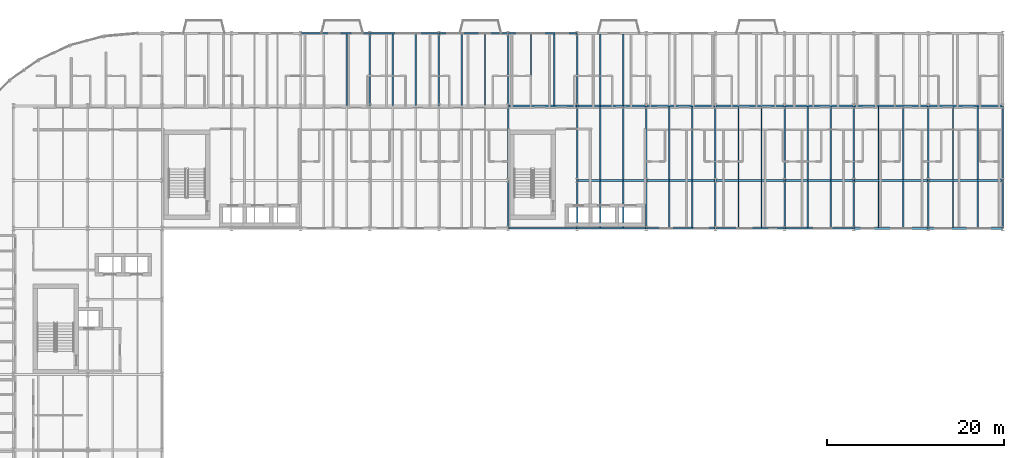
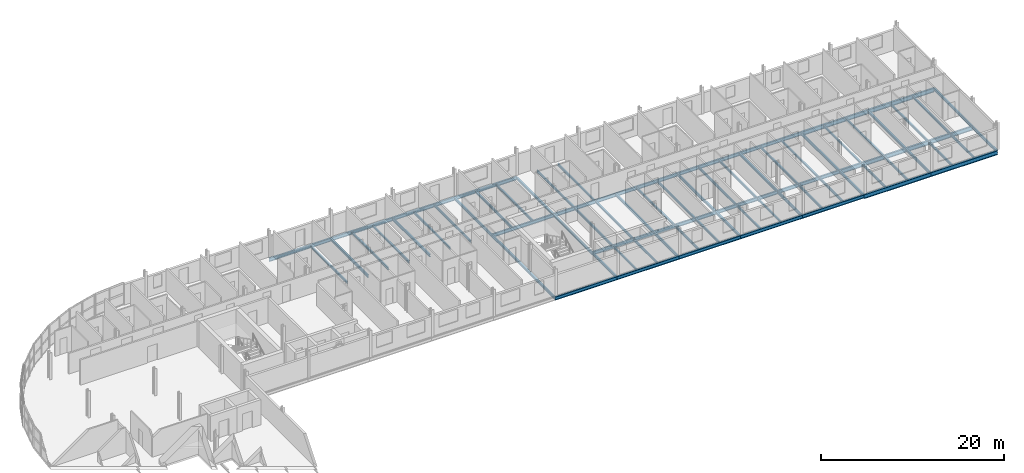
# One storey, part 11 of 34: 77 beams.
"""IFC4 building model written with IfcOpenShell, lengths in metres."""

from ifc_helpers import new_model, si_unit, direction, frame, origin, origin_2d, place, context, subcontext, project, spatial, i_section, extrude, material, material_profile, profile_set, type_object, element, save


model = new_model("IFC4")

# Units and contexts
model_context = context("Model", 3, precision=1e-05, world=origin(), true_north=direction((0.0, 1.0)))
body_context = subcontext(model_context, "Body", "Model", "MODEL_VIEW")
ifc_project = project(units=[si_unit("LENGTHUNIT", "METRE"), si_unit("AREAUNIT", "SQUARE_METRE"), si_unit("VOLUMEUNIT", "CUBIC_METRE"), si_unit("PLANEANGLEUNIT", "RADIAN"), si_unit("MASSUNIT", "GRAM", prefix="KILO")], contexts=[model_context])

# Site, building, storey
site_placement = place(None, origin())
site = spatial("IfcSite", under=ifc_project, at=site_placement, CompositionType="ELEMENT")
building_placement = place(site_placement, origin())
building = spatial("IfcBuilding", under=site, at=building_placement, Name="Sefraquen Railside Congress Hotel", CompositionType="ELEMENT")
storey_placement = place(building_placement, frame((0.0, 0.0, 31.800048828125)))
storey = spatial("IfcBuildingStorey", under=building, at=storey_placement, Name="L07", CompositionType="ELEMENT", Elevation=31.800048828125)

# Beams
ifc_material = material(Name="Steel S355JR", Category="steel")
ifc_material_profile_1 = material_profile(ifc_material, i_section(OverallWidth=0.169921875, OverallDepth=0.360107421875, WebThickness=0.008056640625, FlangeThickness=0.0126953125, FilletRadius=0.01806640625, at=origin_2d()), Name="IPE 360")
ifc_profile_set_1 = profile_set([ifc_material_profile_1], Name="Steel S355JR")
beam_type_1 = type_object("IfcBeamType", Name="TB-BM-360", PredefinedType="BEAM", material=ifc_profile_set_1)
for number, where, z_axis, x_axis, name in (
    (1, (48.60009765625, 109.800048828125, -0.420166015625), (0.0, 1.0, 0.0), (-1.0, 0.0, 0.0), "Floor beam BM-L07-1800"),
    (2, (56.39990234375, 109.800048828125, -0.420166015625), (0.0, 1.0, 0.0), (-1.0, 0.0, 0.0), "Floor beam BM-L07-1803"),
):
    element("IfcBeam", number, at=place(storey_placement, frame(where, z_axis=z_axis, x_axis=x_axis)), inside=storey, type_object=beam_type_1, Name=name, PredefinedType="BEAM", context=body_context, shape_type="SweptSolid", body=[
        extrude(i_section(OverallWidth=0.169921875, OverallDepth=0.360107421875, WebThickness=0.008056640625, FlangeThickness=0.0126953125, FilletRadius=0.01806640625, at=origin_2d()), origin(), (0.0, 0.0, 1.0), 8.199951171875),
    ])
beam_1_placement = place(storey_placement, frame((64.199951171875, 96.0, -0.420166015625), z_axis=(0.0, 1.0, 0.0), x_axis=(-1.0, 0.0, 0.0)))
element("IfcBeam", 3, at=beam_1_placement, inside=storey, type_object=beam_type_1, Name="Floor beam BM-L07-1804", PredefinedType="BEAM", context=body_context, shape_type="SweptSolid", body=[
    extrude(i_section(OverallWidth=0.169921875, OverallDepth=0.360107421875, WebThickness=0.008056640625, FlangeThickness=0.0126953125, FilletRadius=0.01806640625, at=origin_2d()), origin(), (0.0, 0.0, 1.0), 5.39990234375),
])
beam_2_placement = place(storey_placement, frame((64.199951171875, 101.39990234375, -0.420166015625), z_axis=(0.0, 1.0, 0.0), x_axis=(-1.0, 0.0, 0.0)))
element("IfcBeam", 4, at=beam_2_placement, inside=storey, type_object=beam_type_1, Name="Floor beam BM-L07-1805", PredefinedType="BEAM", context=body_context, shape_type="SweptSolid", body=[
    extrude(i_section(OverallWidth=0.169921875, OverallDepth=0.360107421875, WebThickness=0.008056640625, FlangeThickness=0.0126953125, FilletRadius=0.01806640625, at=origin_2d()), origin(), (0.0, 0.0, 1.0), 8.400146484375),
])
beam_3_placement = place(storey_placement, frame((64.199951171875, 109.800048828125, -0.420166015625), z_axis=(0.0, 1.0, 0.0), x_axis=(-1.0, 0.0, 0.0)))
element("IfcBeam", 5, at=beam_3_placement, inside=storey, type_object=beam_type_1, Name="Floor beam BM-L07-1806", PredefinedType="BEAM", context=body_context, shape_type="SweptSolid", body=[
    extrude(i_section(OverallWidth=0.169921875, OverallDepth=0.360107421875, WebThickness=0.008056640625, FlangeThickness=0.0126953125, FilletRadius=0.01806640625, at=origin_2d()), origin(), (0.0, 0.0, 1.0), 8.199951171875),
])
beam_4_placement = place(storey_placement, frame((72.0, 96.0, -0.420166015625), z_axis=(0.0, 1.0, 0.0), x_axis=(-1.0, 0.0, 0.0)))
element("IfcBeam", 6, at=beam_4_placement, inside=storey, type_object=beam_type_1, Name="Floor beam BM-L07-1807", PredefinedType="BEAM", context=body_context, shape_type="SweptSolid", body=[
    extrude(i_section(OverallWidth=0.169921875, OverallDepth=0.360107421875, WebThickness=0.008056640625, FlangeThickness=0.0126953125, FilletRadius=0.01806640625, at=origin_2d()), origin(), (0.0, 0.0, 1.0), 5.39990234375),
])
beam_5_placement = place(storey_placement, frame((72.0, 101.39990234375, -0.420166015625), z_axis=(0.0, 1.0, 0.0), x_axis=(-1.0, 0.0, 0.0)))
element("IfcBeam", 7, at=beam_5_placement, inside=storey, type_object=beam_type_1, Name="Floor beam BM-L07-1808", PredefinedType="BEAM", context=body_context, shape_type="SweptSolid", body=[
    extrude(i_section(OverallWidth=0.169921875, OverallDepth=0.360107421875, WebThickness=0.008056640625, FlangeThickness=0.0126953125, FilletRadius=0.01806640625, at=origin_2d()), origin(), (0.0, 0.0, 1.0), 8.400146484375),
])
beam_6_placement = place(storey_placement, frame((72.0, 109.800048828125, -0.420166015625), z_axis=(0.0, 1.0, 0.0), x_axis=(-1.0, 0.0, 0.0)))
element("IfcBeam", 8, at=beam_6_placement, inside=storey, type_object=beam_type_1, Name="Floor beam BM-L07-1809", PredefinedType="BEAM", context=body_context, shape_type="SweptSolid", body=[
    extrude(i_section(OverallWidth=0.169921875, OverallDepth=0.360107421875, WebThickness=0.008056640625, FlangeThickness=0.0126953125, FilletRadius=0.01806640625, at=origin_2d()), origin(), (0.0, 0.0, 1.0), 8.199951171875),
])
beam_7_placement = place(storey_placement, frame((79.800048828125, 96.0, -0.420166015625), z_axis=(0.0, 1.0, 0.0), x_axis=(-1.0, 0.0, 0.0)))
element("IfcBeam", 9, at=beam_7_placement, inside=storey, type_object=beam_type_1, Name="Floor beam BM-L07-1810", PredefinedType="BEAM", context=body_context, shape_type="SweptSolid", body=[
    extrude(i_section(OverallWidth=0.169921875, OverallDepth=0.360107421875, WebThickness=0.008056640625, FlangeThickness=0.0126953125, FilletRadius=0.01806640625, at=origin_2d()), origin(), (0.0, 0.0, 1.0), 5.39990234375),
])
beam_8_placement = place(storey_placement, frame((79.800048828125, 101.39990234375, -0.420166015625), z_axis=(0.0, 1.0, 0.0), x_axis=(-1.0, 0.0, 0.0)))
element("IfcBeam", 10, at=beam_8_placement, inside=storey, type_object=beam_type_1, Name="Floor beam BM-L07-1811", PredefinedType="BEAM", context=body_context, shape_type="SweptSolid", body=[
    extrude(i_section(OverallWidth=0.169921875, OverallDepth=0.360107421875, WebThickness=0.008056640625, FlangeThickness=0.0126953125, FilletRadius=0.01806640625, at=origin_2d()), origin(), (0.0, 0.0, 1.0), 8.400146484375),
])
beam_9_placement = place(storey_placement, frame((87.60009765625, 96.0, -0.420166015625), z_axis=(0.0, 1.0, 0.0), x_axis=(-1.0, 0.0, 0.0)))
element("IfcBeam", 11, at=beam_9_placement, inside=storey, type_object=beam_type_1, Name="Floor beam BM-L07-1813", PredefinedType="BEAM", context=body_context, shape_type="SweptSolid", body=[
    extrude(i_section(OverallWidth=0.169921875, OverallDepth=0.360107421875, WebThickness=0.008056640625, FlangeThickness=0.0126953125, FilletRadius=0.01806640625, at=origin_2d()), origin(), (0.0, 0.0, 1.0), 5.39990234375),
])
beam_10_placement = place(storey_placement, frame((87.60009765625, 101.39990234375, -0.420166015625), z_axis=(0.0, 1.0, 0.0), x_axis=(-1.0, 0.0, 0.0)))
element("IfcBeam", 12, at=beam_10_placement, inside=storey, type_object=beam_type_1, Name="Floor beam BM-L07-1814", PredefinedType="BEAM", context=body_context, shape_type="SweptSolid", body=[
    extrude(i_section(OverallWidth=0.169921875, OverallDepth=0.360107421875, WebThickness=0.008056640625, FlangeThickness=0.0126953125, FilletRadius=0.01806640625, at=origin_2d()), origin(), (0.0, 0.0, 1.0), 8.400146484375),
])
beam_11_placement = place(storey_placement, frame((95.39990234375, 96.0, -0.420166015625), z_axis=(0.0, 1.0, 0.0), x_axis=(-1.0, 0.0, 0.0)))
element("IfcBeam", 13, at=beam_11_placement, inside=storey, type_object=beam_type_1, Name="Floor beam BM-L07-1816", PredefinedType="BEAM", context=body_context, shape_type="SweptSolid", body=[
    extrude(i_section(OverallWidth=0.169921875, OverallDepth=0.360107421875, WebThickness=0.008056640625, FlangeThickness=0.0126953125, FilletRadius=0.01806640625, at=origin_2d()), origin(), (0.0, 0.0, 1.0), 5.39990234375),
])
beam_12_placement = place(storey_placement, frame((95.39990234375, 101.39990234375, -0.420166015625), z_axis=(0.0, 1.0, 0.0), x_axis=(-1.0, 0.0, 0.0)))
element("IfcBeam", 14, at=beam_12_placement, inside=storey, type_object=beam_type_1, Name="Floor beam BM-L07-1817", PredefinedType="BEAM", context=body_context, shape_type="SweptSolid", body=[
    extrude(i_section(OverallWidth=0.169921875, OverallDepth=0.360107421875, WebThickness=0.008056640625, FlangeThickness=0.0126953125, FilletRadius=0.01806640625, at=origin_2d()), origin(), (0.0, 0.0, 1.0), 8.400146484375),
])
beam_13_placement = place(storey_placement, frame((103.199951171875, 96.0, -0.420166015625), z_axis=(0.0, 1.0, 0.0), x_axis=(-1.0, 0.0, 0.0)))
element("IfcBeam", 15, at=beam_13_placement, inside=storey, type_object=beam_type_1, Name="Floor beam BM-L07-1819", PredefinedType="BEAM", context=body_context, shape_type="SweptSolid", body=[
    extrude(i_section(OverallWidth=0.169921875, OverallDepth=0.360107421875, WebThickness=0.008056640625, FlangeThickness=0.0126953125, FilletRadius=0.01806640625, at=origin_2d()), origin(), (0.0, 0.0, 1.0), 5.39990234375),
])
beam_14_placement = place(storey_placement, frame((103.199951171875, 101.39990234375, -0.420166015625), z_axis=(0.0, 1.0, 0.0), x_axis=(-1.0, 0.0, 0.0)))
element("IfcBeam", 16, at=beam_14_placement, inside=storey, type_object=beam_type_1, Name="Floor beam BM-L07-1820", PredefinedType="BEAM", context=body_context, shape_type="SweptSolid", body=[
    extrude(i_section(OverallWidth=0.169921875, OverallDepth=0.360107421875, WebThickness=0.008056640625, FlangeThickness=0.0126953125, FilletRadius=0.01806640625, at=origin_2d()), origin(), (0.0, 0.0, 1.0), 8.400146484375),
])
beam_15_placement = place(storey_placement, frame((111.60009765625, 96.0, -0.420166015625), z_axis=(0.0, 1.0, 0.0), x_axis=(-1.0, 0.0, 0.0)))
element("IfcBeam", 17, at=beam_15_placement, inside=storey, type_object=beam_type_1, Name="Floor beam BM-L07-1822", PredefinedType="BEAM", context=body_context, shape_type="SweptSolid", body=[
    extrude(i_section(OverallWidth=0.169921875, OverallDepth=0.360107421875, WebThickness=0.008056640625, FlangeThickness=0.0126953125, FilletRadius=0.01806640625, at=origin_2d()), origin(), (0.0, 0.0, 1.0), 5.39990234375),
])
beam_16_placement = place(storey_placement, frame((111.60009765625, 101.39990234375, -0.420166015625), z_axis=(0.0, 1.0, 0.0), x_axis=(-1.0, 0.0, 0.0)))
element("IfcBeam", 18, at=beam_16_placement, inside=storey, type_object=beam_type_1, Name="Floor beam BM-L07-1823", PredefinedType="BEAM", context=body_context, shape_type="SweptSolid", body=[
    extrude(i_section(OverallWidth=0.169921875, OverallDepth=0.360107421875, WebThickness=0.008056640625, FlangeThickness=0.0126953125, FilletRadius=0.01806640625, at=origin_2d()), origin(), (0.0, 0.0, 1.0), 8.400146484375),
])
beam_17_placement = place(storey_placement, frame((120.0, 96.0, -0.420166015625), z_axis=(0.0, 1.0, 0.0), x_axis=(-1.0, 0.0, 0.0)))
element("IfcBeam", 19, at=beam_17_placement, inside=storey, type_object=beam_type_1, Name="Floor beam BM-L07-1825", PredefinedType="BEAM", context=body_context, shape_type="SweptSolid", body=[
    extrude(i_section(OverallWidth=0.169921875, OverallDepth=0.360107421875, WebThickness=0.008056640625, FlangeThickness=0.0126953125, FilletRadius=0.01806640625, at=origin_2d()), origin(), (0.0, 0.0, 1.0), 5.39990234375),
])
beam_18_placement = place(storey_placement, frame((120.0, 101.39990234375, -0.420166015625), z_axis=(0.0, 1.0, 0.0), x_axis=(-1.0, 0.0, 0.0)))
element("IfcBeam", 20, at=beam_18_placement, inside=storey, type_object=beam_type_1, Name="Floor beam BM-L07-1826", PredefinedType="BEAM", context=body_context, shape_type="SweptSolid", body=[
    extrude(i_section(OverallWidth=0.169921875, OverallDepth=0.360107421875, WebThickness=0.008056640625, FlangeThickness=0.0126953125, FilletRadius=0.01806640625, at=origin_2d()), origin(), (0.0, 0.0, 1.0), 8.400146484375),
])
ifc_material_profile_2 = material_profile(ifc_material, i_section(OverallWidth=0.18994140625, OverallDepth=0.449951171875, WebThickness=0.009521484375, FlangeThickness=0.0146484375, FilletRadius=0.02099609375, at=origin_2d()), Name="IPE 450")
ifc_profile_set_2 = profile_set([ifc_material_profile_2], Name="Steel S355JR")
beam_type_2 = type_object("IfcBeamType", Name="TB-BM-450", PredefinedType="BEAM", material=ifc_profile_set_2)
for number, where, z_axis, x_axis, name in (
    (21, (64.199951171875, 96.0, -0.465087890625), (1.0, 0.0, 0.0), (0.0, 1.0, 0.0), "Primary girder BM-L07-1725"),
    (22, (72.0, 96.0, -0.465087890625), (1.0, 0.0, 0.0), (0.0, 1.0, 0.0), "Primary girder BM-L07-1726"),
    (23, (79.800048828125, 96.0, -0.465087890625), (1.0, 0.0, 0.0), (0.0, 1.0, 0.0), "Primary girder BM-L07-1727"),
):
    element("IfcBeam", number, at=place(storey_placement, frame(where, z_axis=z_axis, x_axis=x_axis)), inside=storey, type_object=beam_type_2, Name=name, PredefinedType="BEAM", context=body_context, shape_type="SweptSolid", body=[
        extrude(i_section(OverallWidth=0.18994140625, OverallDepth=0.449951171875, WebThickness=0.009521484375, FlangeThickness=0.0146484375, FilletRadius=0.02099609375, at=origin_2d()), origin(), (0.0, 0.0, 1.0), 7.800048828125),
    ])
beam_19_placement = place(storey_placement, frame((87.60009765625, 96.0, -0.465087890625), z_axis=(1.0, 0.0, 0.0), x_axis=(0.0, 1.0, 0.0)))
element("IfcBeam", 24, at=beam_19_placement, inside=storey, type_object=beam_type_2, Name="Primary girder BM-L07-1728", PredefinedType="BEAM", context=body_context, shape_type="SweptSolid", body=[
    extrude(i_section(OverallWidth=0.18994140625, OverallDepth=0.449951171875, WebThickness=0.009521484375, FlangeThickness=0.0146484375, FilletRadius=0.02099609375, at=origin_2d()), origin(), (0.0, 0.0, 1.0), 7.7998046875),
])
for number, where, z_axis, x_axis, name in (
    (25, (95.39990234375, 96.0, -0.465087890625), (1.0, 0.0, 0.0), (0.0, 1.0, 0.0), "Primary girder BM-L07-1729"),
    (26, (72.0, 101.39990234375, -0.465087890625), (1.0, 0.0, 0.0), (0.0, 1.0, 0.0), "Primary girder BM-L07-1738"),
    (27, (79.800048828125, 101.39990234375, -0.465087890625), (1.0, 0.0, 0.0), (0.0, 1.0, 0.0), "Primary girder BM-L07-1739"),
):
    element("IfcBeam", number, at=place(storey_placement, frame(where, z_axis=z_axis, x_axis=x_axis)), inside=storey, type_object=beam_type_2, Name=name, PredefinedType="BEAM", context=body_context, shape_type="SweptSolid", body=[
        extrude(i_section(OverallWidth=0.18994140625, OverallDepth=0.449951171875, WebThickness=0.009521484375, FlangeThickness=0.0146484375, FilletRadius=0.02099609375, at=origin_2d()), origin(), (0.0, 0.0, 1.0), 7.800048828125),
    ])
beam_20_placement = place(storey_placement, frame((87.60009765625, 101.39990234375, -0.465087890625), z_axis=(1.0, 0.0, 0.0), x_axis=(0.0, 1.0, 0.0)))
element("IfcBeam", 28, at=beam_20_placement, inside=storey, type_object=beam_type_2, Name="Primary girder BM-L07-1740", PredefinedType="BEAM", context=body_context, shape_type="SweptSolid", body=[
    extrude(i_section(OverallWidth=0.18994140625, OverallDepth=0.449951171875, WebThickness=0.009521484375, FlangeThickness=0.0146484375, FilletRadius=0.02099609375, at=origin_2d()), origin(), (0.0, 0.0, 1.0), 7.7998046875),
])
for number, where, z_axis, x_axis, name in (
    (29, (95.39990234375, 101.39990234375, -0.465087890625), (1.0, 0.0, 0.0), (0.0, 1.0, 0.0), "Primary girder BM-L07-1741"),
    (30, (64.199951171875, 109.800048828125, -0.465087890625), (1.0, 0.0, 0.0), (0.0, 1.0, 0.0), "Primary girder BM-L07-1751"),
    (31, (72.0, 109.800048828125, -0.465087890625), (1.0, 0.0, 0.0), (0.0, 1.0, 0.0), "Primary girder BM-L07-1752"),
    (32, (79.800048828125, 109.800048828125, -0.465087890625), (1.0, 0.0, 0.0), (0.0, 1.0, 0.0), "Primary girder BM-L07-1753"),
):
    element("IfcBeam", number, at=place(storey_placement, frame(where, z_axis=z_axis, x_axis=x_axis)), inside=storey, type_object=beam_type_2, Name=name, PredefinedType="BEAM", context=body_context, shape_type="SweptSolid", body=[
        extrude(i_section(OverallWidth=0.18994140625, OverallDepth=0.449951171875, WebThickness=0.009521484375, FlangeThickness=0.0146484375, FilletRadius=0.02099609375, at=origin_2d()), origin(), (0.0, 0.0, 1.0), 7.800048828125),
    ])
beam_21_placement = place(storey_placement, frame((87.60009765625, 109.800048828125, -0.465087890625), z_axis=(1.0, 0.0, 0.0), x_axis=(0.0, 1.0, 0.0)))
element("IfcBeam", 33, at=beam_21_placement, inside=storey, type_object=beam_type_2, Name="Primary girder BM-L07-1754", PredefinedType="BEAM", context=body_context, shape_type="SweptSolid", body=[
    extrude(i_section(OverallWidth=0.18994140625, OverallDepth=0.449951171875, WebThickness=0.009521484375, FlangeThickness=0.0146484375, FilletRadius=0.02099609375, at=origin_2d()), origin(), (0.0, 0.0, 1.0), 7.7998046875),
])
for number, where, z_axis, x_axis, name in (
    (34, (95.39990234375, 109.800048828125, -0.465087890625), (1.0, 0.0, 0.0), (0.0, 1.0, 0.0), "Primary girder BM-L07-1755"),
    (35, (40.800048828125, 118.0, -0.465087890625), (1.0, 0.0, 0.0), (0.0, 1.0, 0.0), "Primary girder BM-L07-1760"),
):
    element("IfcBeam", number, at=place(storey_placement, frame(where, z_axis=z_axis, x_axis=x_axis)), inside=storey, type_object=beam_type_2, Name=name, PredefinedType="BEAM", context=body_context, shape_type="SweptSolid", body=[
        extrude(i_section(OverallWidth=0.18994140625, OverallDepth=0.449951171875, WebThickness=0.009521484375, FlangeThickness=0.0146484375, FilletRadius=0.02099609375, at=origin_2d()), origin(), (0.0, 0.0, 1.0), 7.800048828125),
    ])
beam_22_placement = place(storey_placement, frame((48.60009765625, 118.0, -0.465087890625), z_axis=(1.0, 0.0, 0.0), x_axis=(0.0, 1.0, 0.0)))
element("IfcBeam", 36, at=beam_22_placement, inside=storey, type_object=beam_type_2, Name="Primary girder BM-L07-1761", PredefinedType="BEAM", context=body_context, shape_type="SweptSolid", body=[
    extrude(i_section(OverallWidth=0.18994140625, OverallDepth=0.449951171875, WebThickness=0.009521484375, FlangeThickness=0.0146484375, FilletRadius=0.02099609375, at=origin_2d()), origin(), (0.0, 0.0, 1.0), 7.7998046875),
])
for number, where, z_axis, x_axis, name in (
    (37, (56.39990234375, 118.0, -0.465087890625), (1.0, 0.0, 0.0), (0.0, 1.0, 0.0), "Primary girder BM-L07-1762"),
    (38, (64.199951171875, 118.0, -0.465087890625), (1.0, 0.0, 0.0), (0.0, 1.0, 0.0), "Primary girder BM-L07-1763"),
):
    element("IfcBeam", number, at=place(storey_placement, frame(where, z_axis=z_axis, x_axis=x_axis)), inside=storey, type_object=beam_type_2, Name=name, PredefinedType="BEAM", context=body_context, shape_type="SweptSolid", body=[
        extrude(i_section(OverallWidth=0.18994140625, OverallDepth=0.449951171875, WebThickness=0.009521484375, FlangeThickness=0.0146484375, FilletRadius=0.02099609375, at=origin_2d()), origin(), (0.0, 0.0, 1.0), 7.800048828125),
    ])
ifc_material_profile_3 = material_profile(ifc_material, i_section(OverallWidth=0.2099609375, OverallDepth=0.550048828125, WebThickness=0.010986328125, FlangeThickness=0.01708984375, FilletRadius=0.02392578125, at=origin_2d()), Name="IPE 550")
ifc_profile_set_3 = profile_set([ifc_material_profile_3], Name="Steel S355JR")
beam_type_3 = type_object("IfcBeamType", Name="TB-GIR-550", PredefinedType="T_BEAM", material=ifc_profile_set_3)
beam_23_placement = place(storey_placement, frame((103.199951171875, 96.0, -0.51513671875), z_axis=(1.0, 0.0, 0.0), x_axis=(0.0, 1.0, 0.0)))
element("IfcBeam", 39, at=beam_23_placement, inside=storey, type_object=beam_type_3, Name="Primary girder BM-L07-1730", PredefinedType="T_BEAM", context=body_context, shape_type="SweptSolid", body=[
    extrude(i_section(OverallWidth=0.2099609375, OverallDepth=0.550048828125, WebThickness=0.010986328125, FlangeThickness=0.01708984375, FilletRadius=0.02392578125, at=origin_2d()), origin(), (0.0, 0.0, 1.0), 8.400146484375),
])
beam_24_placement = place(storey_placement, frame((111.60009765625, 96.0, -0.51513671875), z_axis=(1.0, 0.0, 0.0), x_axis=(0.0, 1.0, 0.0)))
element("IfcBeam", 40, at=beam_24_placement, inside=storey, type_object=beam_type_3, Name="Primary girder BM-L07-1731", PredefinedType="T_BEAM", context=body_context, shape_type="SweptSolid", body=[
    extrude(i_section(OverallWidth=0.2099609375, OverallDepth=0.550048828125, WebThickness=0.010986328125, FlangeThickness=0.01708984375, FilletRadius=0.02392578125, at=origin_2d()), origin(), (0.0, 0.0, 1.0), 8.39990234375),
])
beam_25_placement = place(storey_placement, frame((103.199951171875, 101.39990234375, -0.51513671875), z_axis=(1.0, 0.0, 0.0), x_axis=(0.0, 1.0, 0.0)))
element("IfcBeam", 41, at=beam_25_placement, inside=storey, type_object=beam_type_3, Name="Primary girder BM-L07-1742", PredefinedType="T_BEAM", context=body_context, shape_type="SweptSolid", body=[
    extrude(i_section(OverallWidth=0.2099609375, OverallDepth=0.550048828125, WebThickness=0.010986328125, FlangeThickness=0.01708984375, FilletRadius=0.02392578125, at=origin_2d()), origin(), (0.0, 0.0, 1.0), 8.400146484375),
])
beam_26_placement = place(storey_placement, frame((111.60009765625, 101.39990234375, -0.51513671875), z_axis=(1.0, 0.0, 0.0), x_axis=(0.0, 1.0, 0.0)))
element("IfcBeam", 42, at=beam_26_placement, inside=storey, type_object=beam_type_3, Name="Primary girder BM-L07-1743", PredefinedType="T_BEAM", context=body_context, shape_type="SweptSolid", body=[
    extrude(i_section(OverallWidth=0.2099609375, OverallDepth=0.550048828125, WebThickness=0.010986328125, FlangeThickness=0.01708984375, FilletRadius=0.02392578125, at=origin_2d()), origin(), (0.0, 0.0, 1.0), 8.39990234375),
])
beam_27_placement = place(storey_placement, frame((103.199951171875, 109.800048828125, -0.51513671875), z_axis=(1.0, 0.0, 0.0), x_axis=(0.0, 1.0, 0.0)))
element("IfcBeam", 43, at=beam_27_placement, inside=storey, type_object=beam_type_3, Name="Primary girder BM-L07-1756", PredefinedType="T_BEAM", context=body_context, shape_type="SweptSolid", body=[
    extrude(i_section(OverallWidth=0.2099609375, OverallDepth=0.550048828125, WebThickness=0.010986328125, FlangeThickness=0.01708984375, FilletRadius=0.02392578125, at=origin_2d()), origin(), (0.0, 0.0, 1.0), 8.400146484375),
])
beam_28_placement = place(storey_placement, frame((111.60009765625, 109.800048828125, -0.51513671875), z_axis=(1.0, 0.0, 0.0), x_axis=(0.0, 1.0, 0.0)))
element("IfcBeam", 44, at=beam_28_placement, inside=storey, type_object=beam_type_3, Name="Primary girder BM-L07-1757", PredefinedType="T_BEAM", context=body_context, shape_type="SweptSolid", body=[
    extrude(i_section(OverallWidth=0.2099609375, OverallDepth=0.550048828125, WebThickness=0.010986328125, FlangeThickness=0.01708984375, FilletRadius=0.02392578125, at=origin_2d()), origin(), (0.0, 0.0, 1.0), 8.39990234375),
])
ifc_material_profile_4 = material_profile(ifc_material, i_section(OverallWidth=0.14990234375, OverallDepth=0.300048828125, WebThickness=0.007080078125, FlangeThickness=0.0107421875, FilletRadius=0.014892578125, at=origin_2d()), Name="IPE 300")
ifc_profile_set_4 = profile_set([ifc_material_profile_4], Name="Steel S355JR")
beam_type_4 = type_object("IfcBeamType", Name="TB-JST-300", PredefinedType="JOIST", material=ifc_profile_set_4)
for number, where, z_axis, x_axis, name in (
    (45, (46.0, 109.875, -0.39013671875), (0.0, 1.0, 0.0), (-1.0, 0.0, 0.0), "Composite floor joist BM-L07-J1183"),
    (46, (51.199951171875, 109.875, -0.39013671875), (0.0, 1.0, 0.0), (-1.0, 0.0, 0.0), "Composite floor joist BM-L07-J1188"),
    (47, (53.800048828125, 109.875, -0.39013671875), (0.0, 1.0, 0.0), (-1.0, 0.0, 0.0), "Composite floor joist BM-L07-J1189"),
    (48, (59.0, 109.875, -0.39013671875), (0.0, 1.0, 0.0), (-1.0, 0.0, 0.0), "Composite floor joist BM-L07-J1194"),
    (49, (61.60009765625, 109.875, -0.39013671875), (0.0, 1.0, 0.0), (-1.0, 0.0, 0.0), "Composite floor joist BM-L07-J1195"),
    (50, (66.800048828125, 109.875, -0.39013671875), (0.0, 1.0, 0.0), (-1.0, 0.0, 0.0), "Composite floor joist BM-L07-J1196"),
    (51, (69.39990234375, 109.875, -0.39013671875), (0.0, 1.0, 0.0), (-1.0, 0.0, 0.0), "Composite floor joist BM-L07-J1197"),
):
    element("IfcBeam", number, at=place(storey_placement, frame(where, z_axis=z_axis, x_axis=x_axis)), inside=storey, type_object=beam_type_4, Name=name, PredefinedType="JOIST", context=body_context, shape_type="SweptSolid", body=[
        extrude(i_section(OverallWidth=0.14990234375, OverallDepth=0.300048828125, WebThickness=0.007080078125, FlangeThickness=0.0107421875, FilletRadius=0.014892578125, at=origin_2d()), origin(), (0.0, 0.0, 1.0), 8.050048828125),
    ])
for number, where, z_axis, x_axis, name in (
    (52, (74.60009765625, 96.074951171875, -0.39013671875), (0.0, 1.0, 0.0), (-1.0, 0.0, 0.0), "Composite floor joist BM-L07-J1198"),
    (53, (77.199951171875, 96.074951171875, -0.39013671875), (0.0, 1.0, 0.0), (-1.0, 0.0, 0.0), "Composite floor joist BM-L07-J1199"),
):
    element("IfcBeam", number, at=place(storey_placement, frame(where, z_axis=z_axis, x_axis=x_axis)), inside=storey, type_object=beam_type_4, Name=name, PredefinedType="JOIST", context=body_context, shape_type="SweptSolid", body=[
        extrude(i_section(OverallWidth=0.14990234375, OverallDepth=0.300048828125, WebThickness=0.007080078125, FlangeThickness=0.0107421875, FilletRadius=0.014892578125, at=origin_2d()), origin(), (0.0, 0.0, 1.0), 5.25),
    ])
for number, where, z_axis, x_axis, name in (
    (54, (74.60009765625, 101.47509765625, -0.39013671875), (0.0, 1.0, 0.0), (-1.0, 0.0, 0.0), "Composite floor joist BM-L07-J1200"),
    (55, (77.199951171875, 101.47509765625, -0.39013671875), (0.0, 1.0, 0.0), (-1.0, 0.0, 0.0), "Composite floor joist BM-L07-J1201"),
):
    element("IfcBeam", number, at=place(storey_placement, frame(where, z_axis=z_axis, x_axis=x_axis)), inside=storey, type_object=beam_type_4, Name=name, PredefinedType="JOIST", context=body_context, shape_type="SweptSolid", body=[
        extrude(i_section(OverallWidth=0.14990234375, OverallDepth=0.300048828125, WebThickness=0.007080078125, FlangeThickness=0.0107421875, FilletRadius=0.014892578125, at=origin_2d()), origin(), (0.0, 0.0, 1.0), 8.25),
    ])
for number, where, z_axis, x_axis, name in (
    (56, (74.60009765625, 109.875, -0.39013671875), (0.0, 1.0, 0.0), (-1.0, 0.0, 0.0), "Composite floor joist BM-L07-J1202"),
    (57, (77.199951171875, 109.875, -0.39013671875), (0.0, 1.0, 0.0), (-1.0, 0.0, 0.0), "Composite floor joist BM-L07-J1203"),
):
    element("IfcBeam", number, at=place(storey_placement, frame(where, z_axis=z_axis, x_axis=x_axis)), inside=storey, type_object=beam_type_4, Name=name, PredefinedType="JOIST", context=body_context, shape_type="SweptSolid", body=[
        extrude(i_section(OverallWidth=0.14990234375, OverallDepth=0.300048828125, WebThickness=0.007080078125, FlangeThickness=0.0107421875, FilletRadius=0.014892578125, at=origin_2d()), origin(), (0.0, 0.0, 1.0), 8.050048828125),
    ])
for number, where, z_axis, x_axis, name in (
    (58, (82.39990234375, 96.074951171875, -0.39013671875), (0.0, 1.0, 0.0), (-1.0, 0.0, 0.0), "Composite floor joist BM-L07-J1204"),
    (59, (85.0, 96.074951171875, -0.39013671875), (0.0, 1.0, 0.0), (-1.0, 0.0, 0.0), "Composite floor joist BM-L07-J1205"),
):
    element("IfcBeam", number, at=place(storey_placement, frame(where, z_axis=z_axis, x_axis=x_axis)), inside=storey, type_object=beam_type_4, Name=name, PredefinedType="JOIST", context=body_context, shape_type="SweptSolid", body=[
        extrude(i_section(OverallWidth=0.14990234375, OverallDepth=0.300048828125, WebThickness=0.007080078125, FlangeThickness=0.0107421875, FilletRadius=0.014892578125, at=origin_2d()), origin(), (0.0, 0.0, 1.0), 5.25),
    ])
for number, where, z_axis, x_axis, name in (
    (60, (82.39990234375, 101.47509765625, -0.39013671875), (0.0, 1.0, 0.0), (-1.0, 0.0, 0.0), "Composite floor joist BM-L07-J1206"),
    (61, (85.0, 101.47509765625, -0.39013671875), (0.0, 1.0, 0.0), (-1.0, 0.0, 0.0), "Composite floor joist BM-L07-J1207"),
):
    element("IfcBeam", number, at=place(storey_placement, frame(where, z_axis=z_axis, x_axis=x_axis)), inside=storey, type_object=beam_type_4, Name=name, PredefinedType="JOIST", context=body_context, shape_type="SweptSolid", body=[
        extrude(i_section(OverallWidth=0.14990234375, OverallDepth=0.300048828125, WebThickness=0.007080078125, FlangeThickness=0.0107421875, FilletRadius=0.014892578125, at=origin_2d()), origin(), (0.0, 0.0, 1.0), 8.25),
    ])
for number, where, z_axis, x_axis, name in (
    (62, (90.199951171875, 96.074951171875, -0.39013671875), (0.0, 1.0, 0.0), (-1.0, 0.0, 0.0), "Composite floor joist BM-L07-J1210"),
    (63, (92.800048828125, 96.074951171875, -0.39013671875), (0.0, 1.0, 0.0), (-1.0, 0.0, 0.0), "Composite floor joist BM-L07-J1211"),
):
    element("IfcBeam", number, at=place(storey_placement, frame(where, z_axis=z_axis, x_axis=x_axis)), inside=storey, type_object=beam_type_4, Name=name, PredefinedType="JOIST", context=body_context, shape_type="SweptSolid", body=[
        extrude(i_section(OverallWidth=0.14990234375, OverallDepth=0.300048828125, WebThickness=0.007080078125, FlangeThickness=0.0107421875, FilletRadius=0.014892578125, at=origin_2d()), origin(), (0.0, 0.0, 1.0), 5.25),
    ])
for number, where, z_axis, x_axis, name in (
    (64, (90.199951171875, 101.47509765625, -0.39013671875), (0.0, 1.0, 0.0), (-1.0, 0.0, 0.0), "Composite floor joist BM-L07-J1212"),
    (65, (92.800048828125, 101.47509765625, -0.39013671875), (0.0, 1.0, 0.0), (-1.0, 0.0, 0.0), "Composite floor joist BM-L07-J1213"),
):
    element("IfcBeam", number, at=place(storey_placement, frame(where, z_axis=z_axis, x_axis=x_axis)), inside=storey, type_object=beam_type_4, Name=name, PredefinedType="JOIST", context=body_context, shape_type="SweptSolid", body=[
        extrude(i_section(OverallWidth=0.14990234375, OverallDepth=0.300048828125, WebThickness=0.007080078125, FlangeThickness=0.0107421875, FilletRadius=0.014892578125, at=origin_2d()), origin(), (0.0, 0.0, 1.0), 8.25),
    ])
for number, where, z_axis, x_axis, name in (
    (66, (98.0, 96.074951171875, -0.39013671875), (0.0, 1.0, 0.0), (-1.0, 0.0, 0.0), "Composite floor joist BM-L07-J1216"),
    (67, (100.60009765625, 96.074951171875, -0.39013671875), (0.0, 1.0, 0.0), (-1.0, 0.0, 0.0), "Composite floor joist BM-L07-J1217"),
):
    element("IfcBeam", number, at=place(storey_placement, frame(where, z_axis=z_axis, x_axis=x_axis)), inside=storey, type_object=beam_type_4, Name=name, PredefinedType="JOIST", context=body_context, shape_type="SweptSolid", body=[
        extrude(i_section(OverallWidth=0.14990234375, OverallDepth=0.300048828125, WebThickness=0.007080078125, FlangeThickness=0.0107421875, FilletRadius=0.014892578125, at=origin_2d()), origin(), (0.0, 0.0, 1.0), 5.25),
    ])
for number, where, z_axis, x_axis, name in (
    (68, (98.0, 101.47509765625, -0.39013671875), (0.0, 1.0, 0.0), (-1.0, 0.0, 0.0), "Composite floor joist BM-L07-J1218"),
    (69, (100.60009765625, 101.47509765625, -0.39013671875), (0.0, 1.0, 0.0), (-1.0, 0.0, 0.0), "Composite floor joist BM-L07-J1219"),
):
    element("IfcBeam", number, at=place(storey_placement, frame(where, z_axis=z_axis, x_axis=x_axis)), inside=storey, type_object=beam_type_4, Name=name, PredefinedType="JOIST", context=body_context, shape_type="SweptSolid", body=[
        extrude(i_section(OverallWidth=0.14990234375, OverallDepth=0.300048828125, WebThickness=0.007080078125, FlangeThickness=0.0107421875, FilletRadius=0.014892578125, at=origin_2d()), origin(), (0.0, 0.0, 1.0), 8.25),
    ])
for number, where, z_axis, x_axis, name in (
    (70, (106.0, 96.0849609375, -0.39013671875), (0.0, 1.0, 0.0), (-1.0, 0.0, 0.0), "Composite floor joist BM-L07-J1222"),
    (71, (108.800048828125, 96.0849609375, -0.39013671875), (0.0, 1.0, 0.0), (-1.0, 0.0, 0.0), "Composite floor joist BM-L07-J1223"),
):
    element("IfcBeam", number, at=place(storey_placement, frame(where, z_axis=z_axis, x_axis=x_axis)), inside=storey, type_object=beam_type_4, Name=name, PredefinedType="JOIST", context=body_context, shape_type="SweptSolid", body=[
        extrude(i_section(OverallWidth=0.14990234375, OverallDepth=0.300048828125, WebThickness=0.007080078125, FlangeThickness=0.0107421875, FilletRadius=0.014892578125, at=origin_2d()), origin(), (0.0, 0.0, 1.0), 5.22998046875),
    ])
for number, where, z_axis, x_axis, name in (
    (72, (106.0, 101.485107421875, -0.39013671875), (0.0, 1.0, 0.0), (-1.0, 0.0, 0.0), "Composite floor joist BM-L07-J1224"),
    (73, (108.800048828125, 101.485107421875, -0.39013671875), (0.0, 1.0, 0.0), (-1.0, 0.0, 0.0), "Composite floor joist BM-L07-J1225"),
):
    element("IfcBeam", number, at=place(storey_placement, frame(where, z_axis=z_axis, x_axis=x_axis)), inside=storey, type_object=beam_type_4, Name=name, PredefinedType="JOIST", context=body_context, shape_type="SweptSolid", body=[
        extrude(i_section(OverallWidth=0.14990234375, OverallDepth=0.300048828125, WebThickness=0.007080078125, FlangeThickness=0.0107421875, FilletRadius=0.014892578125, at=origin_2d()), origin(), (0.0, 0.0, 1.0), 8.22998046875),
    ])
for number, where, z_axis, x_axis, name in (
    (74, (114.39990234375, 96.0849609375, -0.39013671875), (0.0, 1.0, 0.0), (-1.0, 0.0, 0.0), "Composite floor joist BM-L07-J1228"),
    (75, (117.199951171875, 96.0849609375, -0.39013671875), (0.0, 1.0, 0.0), (-1.0, 0.0, 0.0), "Composite floor joist BM-L07-J1229"),
):
    element("IfcBeam", number, at=place(storey_placement, frame(where, z_axis=z_axis, x_axis=x_axis)), inside=storey, type_object=beam_type_4, Name=name, PredefinedType="JOIST", context=body_context, shape_type="SweptSolid", body=[
        extrude(i_section(OverallWidth=0.14990234375, OverallDepth=0.300048828125, WebThickness=0.007080078125, FlangeThickness=0.0107421875, FilletRadius=0.014892578125, at=origin_2d()), origin(), (0.0, 0.0, 1.0), 5.22998046875),
    ])
for number, where, z_axis, x_axis, name in (
    (76, (114.39990234375, 101.485107421875, -0.39013671875), (0.0, 1.0, 0.0), (-1.0, 0.0, 0.0), "Composite floor joist BM-L07-J1230"),
    (77, (117.199951171875, 101.485107421875, -0.39013671875), (0.0, 1.0, 0.0), (-1.0, 0.0, 0.0), "Composite floor joist BM-L07-J1231"),
):
    element("IfcBeam", number, at=place(storey_placement, frame(where, z_axis=z_axis, x_axis=x_axis)), inside=storey, type_object=beam_type_4, Name=name, PredefinedType="JOIST", context=body_context, shape_type="SweptSolid", body=[
        extrude(i_section(OverallWidth=0.14990234375, OverallDepth=0.300048828125, WebThickness=0.007080078125, FlangeThickness=0.0107421875, FilletRadius=0.014892578125, at=origin_2d()), origin(), (0.0, 0.0, 1.0), 8.22998046875),
    ])

save(model, "model.ifc")
